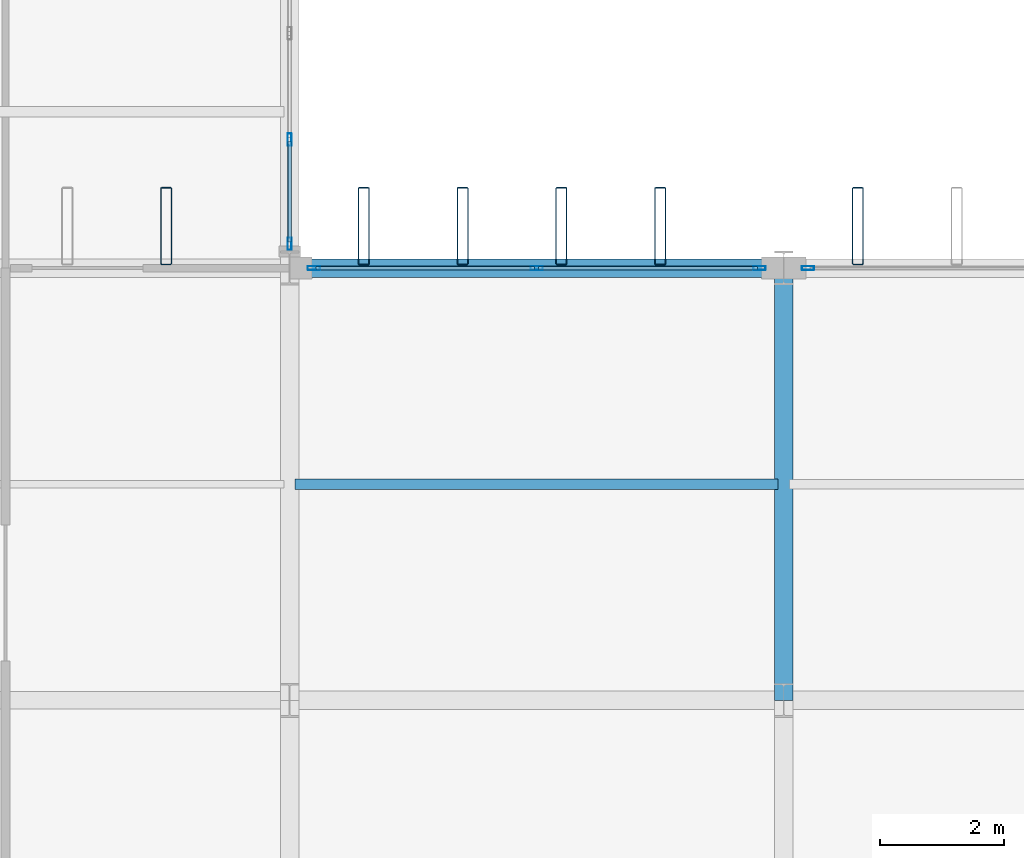
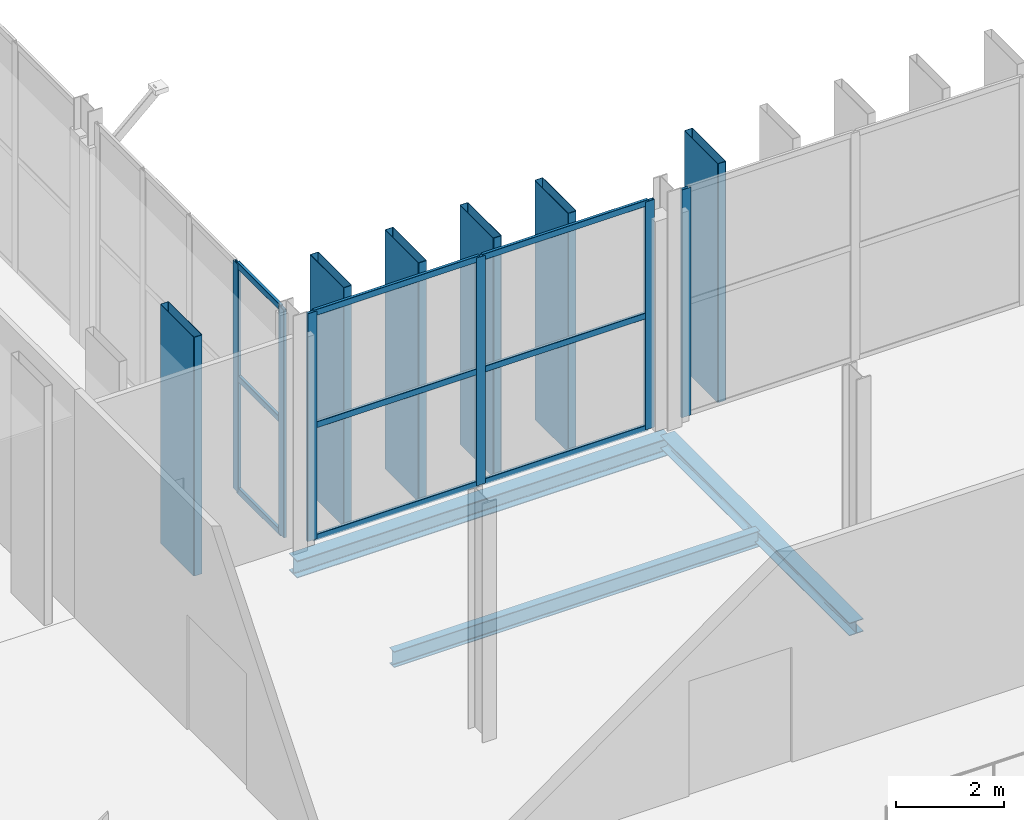
# One storey, part 60 of 147: 21 members, 3 beams, 3 elements without a shape of their own.
"""IFC4 building model written with IfcOpenShell, lengths in metres."""

from ifc_helpers import new_model, si_unit, direction, frame, origin, origin_2d, place, context, subcontext, project, spatial, hollow_rectangle, i_section, extrude, material, layer, layer_set, material_profile, profile_set, type_object, element, aggregate, save


model = new_model("IFC4")

# Units and contexts
model_context = context("Model", 3, precision=1e-05, world=origin(), true_north=direction((0.0, 1.0)))
body_context = subcontext(model_context, "Body", "Model", "MODEL_VIEW")
ifc_project = project(units=[si_unit("LENGTHUNIT", "METRE"), si_unit("AREAUNIT", "SQUARE_METRE"), si_unit("VOLUMEUNIT", "CUBIC_METRE"), si_unit("PLANEANGLEUNIT", "RADIAN"), si_unit("MASSUNIT", "GRAM", prefix="KILO")], contexts=[model_context])

# Site, building, storey
site_placement = place(None, origin())
site = spatial("IfcSite", under=ifc_project, at=site_placement, CompositionType="ELEMENT")
building_placement = place(site_placement, origin())
building = spatial("IfcBuilding", under=site, at=building_placement, Name="Vekula Escarpment Museum", CompositionType="ELEMENT")
storey_placement = place(building_placement, frame((0.0, 0.0, 7.800048828125)))
storey = spatial("IfcBuildingStorey", under=building, at=storey_placement, Name="L02", CompositionType="ELEMENT", Elevation=7.800048828125)

# Beams
ifc_material_1 = material(Name="Steel S355", Category="steel")
ifc_material_profile_1 = material_profile(ifc_material_1, i_section(OverallWidth=0.169921875, OverallDepth=0.360107421875, WebThickness=0.008056640625, FlangeThickness=0.0126953125, FilletRadius=0.01806640625, at=origin_2d()), Name="IPE 360")
ifc_profile_set_1 = profile_set([ifc_material_profile_1], Name="Steel S355")
beam_type_1 = type_object("IfcBeamType", Name="BM-JST-IPE360", PredefinedType="JOIST", material=ifc_profile_set_1)
beam_1_placement = place(storey_placement, frame((102.090087890625, 86.89990234375, -0.43994140625), z_axis=(1.0, 0.0, 0.0), x_axis=(0.0, 1.0, 0.0)))
element("IfcBeam", 1, at=beam_1_placement, inside=storey, type_object=beam_type_1, Name="Secondary Joist L02 0799", PredefinedType="JOIST", context=body_context, shape_type="SweptSolid", body=[
    extrude(i_section(OverallWidth=0.169921875, OverallDepth=0.360107421875, WebThickness=0.008056640625, FlangeThickness=0.0126953125, FilletRadius=0.01806640625, at=origin_2d()), origin(), (0.0, 0.0, 1.0), 7.81982421875),
])
ifc_material_2 = material(Name="Steel S355", Category="steel")
ifc_material_profile_2 = material_profile(ifc_material_2, i_section(OverallWidth=0.300048828125, OverallDepth=0.2900390625, WebThickness=0.008544921875, FlangeThickness=0.013916015625, FilletRadius=0.027099609375, at=origin_2d()), Name="HEA 300")
ifc_profile_set_2 = profile_set([ifc_material_profile_2], Name="Steel S355")
beam_type_2 = type_object("IfcBeamType", Name="BM-SPAN-HEA300", PredefinedType="SPANDREL", material=ifc_profile_set_2)
beam_2_placement = place(storey_placement, frame((110.0, 83.39990234375, -0.405029296875), z_axis=(0.0, 1.0, 0.0), x_axis=(-1.0, 0.0, 0.0)))
element("IfcBeam", 2, at=beam_2_placement, inside=storey, type_object=beam_type_2, Name="Beam Y L02 1191", PredefinedType="SPANDREL", context=body_context, shape_type="SweptSolid", body=[
    extrude(i_section(OverallWidth=0.300048828125, OverallDepth=0.2900390625, WebThickness=0.008544921875, FlangeThickness=0.013916015625, FilletRadius=0.027099609375, at=origin_2d()), origin(), (0.0, 0.0, 1.0), 7.0),
])
ifc_material_3 = material(Name="Steel S355", Category="steel")
ifc_material_profile_3 = material_profile(ifc_material_3, i_section(OverallWidth=0.300048828125, OverallDepth=0.389892578125, WebThickness=0.010986328125, FlangeThickness=0.01904296875, FilletRadius=0.027099609375, at=origin_2d()), Name="HEA 400")
ifc_profile_set_3 = profile_set([ifc_material_profile_3], Name="Steel S355")
beam_type_3 = type_object("IfcBeamType", Name="BM-SPAN-HEA400", PredefinedType="SPANDREL", material=ifc_profile_set_3)
beam_3_placement = place(storey_placement, frame((102.0, 90.39990234375, -0.455078125), z_axis=(1.0, 0.0, 0.0), x_axis=(0.0, 1.0, 0.0)))
element("IfcBeam", 3, at=beam_3_placement, inside=storey, type_object=beam_type_3, Name="Beam X L02 0954", PredefinedType="SPANDREL", context=body_context, shape_type="SweptSolid", body=[
    extrude(i_section(OverallWidth=0.300048828125, OverallDepth=0.389892578125, WebThickness=0.010986328125, FlangeThickness=0.01904296875, FilletRadius=0.027099609375, at=origin_2d()), origin(), (0.0, 0.0, 1.0), 8.0),
])

# Curtain wall, member
ifc_material_4 = material(Name="Aluminium thermally broken framing", Category="aluminium")
ifc_layer_1 = layer(ifc_material_4, 0.179931640625)
ifc_layer_set_1 = layer_set([ifc_layer_1], Name="Aluminium thermally broken framing")
curtain_wall_type_1 = type_object("IfcCurtainWallType", Name="CW-SYS-07", PredefinedType="NOTDEFINED", material=ifc_layer_set_1)
curtain_wall_1_placement = place(storey_placement, origin())
curtain_wall_1 = element("IfcCurtainWall", 4, at=curtain_wall_1_placement, inside=storey, type_object=curtain_wall_type_1, Name="Curtain Wall CW-L02-077", PredefinedType="NOTDEFINED")
ifc_material_5 = material(Name="Aluminium anodized mullion", Category="aluminium")
ifc_material_profile_4 = material_profile(ifc_material_5, hollow_rectangle(XDim=0.06494140625, YDim=0.199951171875, WallThickness=0.00390625, InnerFilletRadius=0.00390625, OuterFilletRadius=0.008056640625, at=origin_2d()), Name="ALU 200x65x4")
ifc_profile_set_4 = profile_set([ifc_material_profile_4], Name="Aluminium anodized mullion")
member_type_1 = type_object("IfcMemberType", Name="CW-MUL-200", PredefinedType="MULLION", material=ifc_profile_set_4)
member_1_placement = place(storey_placement, frame((110.392578125, 90.39990234375, 0.0), z_axis=(0.0, 0.0, 1.0), x_axis=(0.0, -1.0, 0.0)))
member_1 = element("IfcMember", 5, at=member_1_placement, type_object=member_type_1, Name="CW-07 mullion 3", PredefinedType="MULLION", context=body_context, shape_type="SweptSolid", body=[
    extrude(hollow_rectangle(XDim=0.06494140625, YDim=0.199951171875, WallThickness=0.00390625, InnerFilletRadius=0.00390625, OuterFilletRadius=0.008056640625, at=origin_2d()), origin(), (0.0, 0.0, 1.0), 5.14990234375),
])
aggregate(curtain_wall_1, [member_1])

# Curtain wall, members
ifc_material_6 = material(Name="Aluminium thermally broken framing", Category="aluminium")
ifc_layer_2 = layer(ifc_material_6, 0.179931640625)
ifc_layer_set_2 = layer_set([ifc_layer_2], Name="Aluminium thermally broken framing")
curtain_wall_type_2 = type_object("IfcCurtainWallType", Name="CW-SYS-08", PredefinedType="NOTDEFINED", material=ifc_layer_set_2)
curtain_wall_2_placement = place(storey_placement, origin())
curtain_wall_2 = element("IfcCurtainWall", 6, at=curtain_wall_2_placement, inside=storey, type_object=curtain_wall_type_2, Name="Curtain Wall CW-L02-078", PredefinedType="NOTDEFINED")
member_2_placement = place(storey_placement, frame((109.607421875, 90.39990234375, 0.0), z_axis=(0.0, 0.0, 1.0), x_axis=(0.0, -1.0, 0.0)))
member_2 = element("IfcMember", 7, at=member_2_placement, type_object=member_type_1, Name="CW-08 mullion 1", PredefinedType="MULLION", context=body_context, shape_type="SweptSolid", body=[
    extrude(hollow_rectangle(XDim=0.06494140625, YDim=0.199951171875, WallThickness=0.00390625, InnerFilletRadius=0.00390625, OuterFilletRadius=0.008056640625, at=origin_2d()), origin(), (0.0, 0.0, 1.0), 5.14990234375),
])
member_3_placement = place(storey_placement, frame((106.0, 90.39990234375, 0.0), z_axis=(0.0, 0.0, 1.0), x_axis=(0.0, -1.0, 0.0)))
member_3 = element("IfcMember", 8, at=member_3_placement, type_object=member_type_1, Name="CW-08 mullion 2", PredefinedType="MULLION", context=body_context, shape_type="SweptSolid", body=[
    extrude(hollow_rectangle(XDim=0.06494140625, YDim=0.199951171875, WallThickness=0.00390625, InnerFilletRadius=0.00390625, OuterFilletRadius=0.008056640625, at=origin_2d()), origin(), (0.0, 0.0, 1.0), 5.14990234375),
])
member_4_placement = place(storey_placement, frame((102.392578125, 90.39990234375, 0.0), z_axis=(0.0, 0.0, 1.0), x_axis=(0.0, -1.0, 0.0)))
member_4 = element("IfcMember", 9, at=member_4_placement, type_object=member_type_1, Name="CW-08 mullion 3", PredefinedType="MULLION", context=body_context, shape_type="SweptSolid", body=[
    extrude(hollow_rectangle(XDim=0.06494140625, YDim=0.199951171875, WallThickness=0.00390625, InnerFilletRadius=0.00390625, OuterFilletRadius=0.008056640625, at=origin_2d()), origin(), (0.0, 0.0, 1.0), 5.14990234375),
])

ifc_material_7 = material(Name="Aluminium thermally broken framing", Category="aluminium")
ifc_layer_3 = layer(ifc_material_7, 0.14990234375)
ifc_layer_set_3 = layer_set([ifc_layer_3], Name="Aluminium thermally broken framing")
curtain_wall_type_3 = type_object("IfcCurtainWallType", Name="CW-SYS-09", PredefinedType="NOTDEFINED", material=ifc_layer_set_3)
curtain_wall_3_placement = place(storey_placement, origin())
curtain_wall_3 = element("IfcCurtainWall", 10, at=curtain_wall_3_placement, inside=storey, type_object=curtain_wall_type_3, Name="Curtain Wall CW-L02-079", PredefinedType="NOTDEFINED")
member_5_placement = place(storey_placement, frame((102.0, 90.79248046875, 0.0), z_axis=(0.0, 0.0, 1.0), x_axis=(-1.0, 0.0, 0.0)))
member_5 = element("IfcMember", 11, at=member_5_placement, type_object=member_type_1, Name="CW-09 mullion 1", PredefinedType="MULLION", context=body_context, shape_type="SweptSolid", body=[
    extrude(hollow_rectangle(XDim=0.06494140625, YDim=0.199951171875, WallThickness=0.00390625, InnerFilletRadius=0.00390625, OuterFilletRadius=0.008056640625, at=origin_2d()), origin(), (0.0, 0.0, 1.0), 5.14990234375),
])
member_6_placement = place(storey_placement, frame((102.0, 92.47998046875, 0.0), z_axis=(0.0, 0.0, 1.0), x_axis=(-1.0, 0.0, 0.0)))
member_6 = element("IfcMember", 12, at=member_6_placement, type_object=member_type_1, Name="CW-09 mullion 2", PredefinedType="MULLION", context=body_context, shape_type="SweptSolid", body=[
    extrude(hollow_rectangle(XDim=0.06494140625, YDim=0.199951171875, WallThickness=0.00390625, InnerFilletRadius=0.00390625, OuterFilletRadius=0.008056640625, at=origin_2d()), origin(), (0.0, 0.0, 1.0), 5.14990234375),
])

# Member
ifc_material_8 = material(Name="Aluminium anodized transom", Category="aluminium")
ifc_material_profile_5 = material_profile(ifc_material_8, hollow_rectangle(XDim=0.06494140625, YDim=0.139892578125, WallThickness=0.00390625, InnerFilletRadius=0.00390625, OuterFilletRadius=0.008056640625, at=origin_2d()), Name="ALU 140x65x4")
ifc_profile_set_5 = profile_set([ifc_material_profile_5], Name="Aluminium anodized transom")
member_type_2 = type_object("IfcMemberType", Name="CW-TRN-140", PredefinedType="USERDEFINED", material=ifc_profile_set_5)
member_7_placement = place(storey_placement, frame((109.574951171875, 90.39990234375, 0.032470703125), z_axis=(-1.0, 0.0, 0.0), x_axis=(0.0, -1.0, 0.0)))
member_7 = element("IfcMember", 13, at=member_7_placement, type_object=member_type_2, Name="CW-08 transom 1.1", ObjectType="TRANSOM", PredefinedType="USERDEFINED", context=body_context, shape_type="SweptSolid", body=[
    extrude(hollow_rectangle(XDim=0.06494140625, YDim=0.139892578125, WallThickness=0.00390625, InnerFilletRadius=0.00390625, OuterFilletRadius=0.008056640625, at=origin_2d()), origin(), (0.0, 0.0, 1.0), 3.54248046875),
])

member_8_placement = place(storey_placement, frame((109.574951171875, 90.39990234375, 2.574951171875), z_axis=(-1.0, 0.0, 0.0), x_axis=(0.0, -1.0, 0.0)))
member_8 = element("IfcMember", 14, at=member_8_placement, type_object=member_type_2, Name="CW-08 transom 1.2", ObjectType="TRANSOM", PredefinedType="USERDEFINED", context=body_context, shape_type="SweptSolid", body=[
    extrude(hollow_rectangle(XDim=0.06494140625, YDim=0.139892578125, WallThickness=0.00390625, InnerFilletRadius=0.00390625, OuterFilletRadius=0.008056640625, at=origin_2d()), origin(), (0.0, 0.0, 1.0), 3.54248046875),
])

member_9_placement = place(storey_placement, frame((109.574951171875, 90.39990234375, 5.117431640625), z_axis=(-1.0, 0.0, 0.0), x_axis=(0.0, -1.0, 0.0)))
member_9 = element("IfcMember", 15, at=member_9_placement, type_object=member_type_2, Name="CW-08 transom 1.3", ObjectType="TRANSOM", PredefinedType="USERDEFINED", context=body_context, shape_type="SweptSolid", body=[
    extrude(hollow_rectangle(XDim=0.06494140625, YDim=0.139892578125, WallThickness=0.00390625, InnerFilletRadius=0.00390625, OuterFilletRadius=0.008056640625, at=origin_2d()), origin(), (0.0, 0.0, 1.0), 3.54248046875),
])

member_10_placement = place(storey_placement, frame((105.967529296875, 90.39990234375, 0.032470703125), z_axis=(-1.0, 0.0, 0.0), x_axis=(0.0, -1.0, 0.0)))
member_10 = element("IfcMember", 16, at=member_10_placement, type_object=member_type_2, Name="CW-08 transom 2.1", ObjectType="TRANSOM", PredefinedType="USERDEFINED", context=body_context, shape_type="SweptSolid", body=[
    extrude(hollow_rectangle(XDim=0.06494140625, YDim=0.139892578125, WallThickness=0.00390625, InnerFilletRadius=0.00390625, OuterFilletRadius=0.008056640625, at=origin_2d()), origin(), (0.0, 0.0, 1.0), 3.54248046875),
])

member_11_placement = place(storey_placement, frame((105.967529296875, 90.39990234375, 2.574951171875), z_axis=(-1.0, 0.0, 0.0), x_axis=(0.0, -1.0, 0.0)))
member_11 = element("IfcMember", 17, at=member_11_placement, type_object=member_type_2, Name="CW-08 transom 2.2", ObjectType="TRANSOM", PredefinedType="USERDEFINED", context=body_context, shape_type="SweptSolid", body=[
    extrude(hollow_rectangle(XDim=0.06494140625, YDim=0.139892578125, WallThickness=0.00390625, InnerFilletRadius=0.00390625, OuterFilletRadius=0.008056640625, at=origin_2d()), origin(), (0.0, 0.0, 1.0), 3.54248046875),
])

member_12_placement = place(storey_placement, frame((105.967529296875, 90.39990234375, 5.117431640625), z_axis=(-1.0, 0.0, 0.0), x_axis=(0.0, -1.0, 0.0)))
member_12 = element("IfcMember", 18, at=member_12_placement, type_object=member_type_2, Name="CW-08 transom 2.3", ObjectType="TRANSOM", PredefinedType="USERDEFINED", context=body_context, shape_type="SweptSolid", body=[
    extrude(hollow_rectangle(XDim=0.06494140625, YDim=0.139892578125, WallThickness=0.00390625, InnerFilletRadius=0.00390625, OuterFilletRadius=0.008056640625, at=origin_2d()), origin(), (0.0, 0.0, 1.0), 3.54248046875),
])

aggregate(curtain_wall_2, [member_2, member_3, member_4, member_7, member_8, member_9, member_10, member_11, member_12])

member_13_placement = place(storey_placement, frame((102.0, 90.824951171875, 0.032470703125), z_axis=(0.0, 1.0, 0.0), x_axis=(-1.0, 0.0, 0.0)))
member_13 = element("IfcMember", 19, at=member_13_placement, type_object=member_type_2, Name="CW-09 transom 1.1", ObjectType="TRANSOM", PredefinedType="USERDEFINED", context=body_context, shape_type="SweptSolid", body=[
    extrude(hollow_rectangle(XDim=0.06494140625, YDim=0.139892578125, WallThickness=0.00390625, InnerFilletRadius=0.00390625, OuterFilletRadius=0.008056640625, at=origin_2d()), origin(), (0.0, 0.0, 1.0), 1.62255859375),
])

member_14_placement = place(storey_placement, frame((102.0, 90.824951171875, 2.574951171875), z_axis=(0.0, 1.0, 0.0), x_axis=(-1.0, 0.0, 0.0)))
member_14 = element("IfcMember", 20, at=member_14_placement, type_object=member_type_2, Name="CW-09 transom 1.2", ObjectType="TRANSOM", PredefinedType="USERDEFINED", context=body_context, shape_type="SweptSolid", body=[
    extrude(hollow_rectangle(XDim=0.06494140625, YDim=0.139892578125, WallThickness=0.00390625, InnerFilletRadius=0.00390625, OuterFilletRadius=0.008056640625, at=origin_2d()), origin(), (0.0, 0.0, 1.0), 1.62255859375),
])

member_15_placement = place(storey_placement, frame((102.0, 90.824951171875, 5.117431640625), z_axis=(0.0, 1.0, 0.0), x_axis=(-1.0, 0.0, 0.0)))
member_15 = element("IfcMember", 21, at=member_15_placement, type_object=member_type_2, Name="CW-09 transom 1.3", ObjectType="TRANSOM", PredefinedType="USERDEFINED", context=body_context, shape_type="SweptSolid", body=[
    extrude(hollow_rectangle(XDim=0.06494140625, YDim=0.139892578125, WallThickness=0.00390625, InnerFilletRadius=0.00390625, OuterFilletRadius=0.008056640625, at=origin_2d()), origin(), (0.0, 0.0, 1.0), 1.62255859375),
])

aggregate(curtain_wall_3, [member_5, member_6, member_13, member_14, member_15])

# Members
ifc_material_9 = material(Name="Steel S355 weathered bronze solar fin", Category="steel")
ifc_material_profile_6 = material_profile(ifc_material_9, hollow_rectangle(XDim=0.179931640625, YDim=1.25, WallThickness=0.010009765625, InnerFilletRadius=0.010009765625, OuterFilletRadius=0.02001953125, at=origin_2d()), Name="RHS 1250x180x10")
ifc_profile_set_6 = profile_set([ifc_material_profile_6], Name="Steel S355 weathered bronze solar fin")
member_type_3 = type_object("IfcMemberType", Name="MB-SOLAR-FIN", PredefinedType="USERDEFINED", material=ifc_profile_set_6)
for number, where, z_axis, x_axis, name in (
    (22, (100.0, 91.080078125, 0.0), (0.0, 0.0, 1.0), (1.0, 0.0, 0.0), "Great Hall Vertical Solar Fin 0212"),
    (23, (103.199951171875, 91.080078125, 0.0), (0.0, 0.0, 1.0), (1.0, 0.0, 0.0), "Great Hall Vertical Solar Fin 0217"),
    (24, (104.800048828125, 91.080078125, 0.0), (0.0, 0.0, 1.0), (1.0, 0.0, 0.0), "Great Hall Vertical Solar Fin 0222"),
    (25, (106.39990234375, 91.080078125, 0.0), (0.0, 0.0, 1.0), (1.0, 0.0, 0.0), "Great Hall Vertical Solar Fin 0227"),
    (26, (108.0, 91.080078125, 0.0), (0.0, 0.0, 1.0), (1.0, 0.0, 0.0), "Great Hall Vertical Solar Fin 0232"),
    (27, (111.199951171875, 91.080078125, 0.0), (0.0, 0.0, 1.0), (1.0, 0.0, 0.0), "Great Hall Vertical Solar Fin 0237"),
):
    element("IfcMember", number, at=place(storey_placement, frame(where, z_axis=z_axis, x_axis=x_axis)), inside=storey, type_object=member_type_3, Name=name, ObjectType="SOLAR FIN", PredefinedType="USERDEFINED", context=body_context, shape_type="SweptSolid", body=[
        extrude(hollow_rectangle(XDim=0.179931640625, YDim=1.25, WallThickness=0.010009765625, InnerFilletRadius=0.010009765625, OuterFilletRadius=0.02001953125, at=origin_2d()), origin(), (0.0, 0.0, 1.0), 5.39990234375),
    ])

save(model, "model.ifc")
